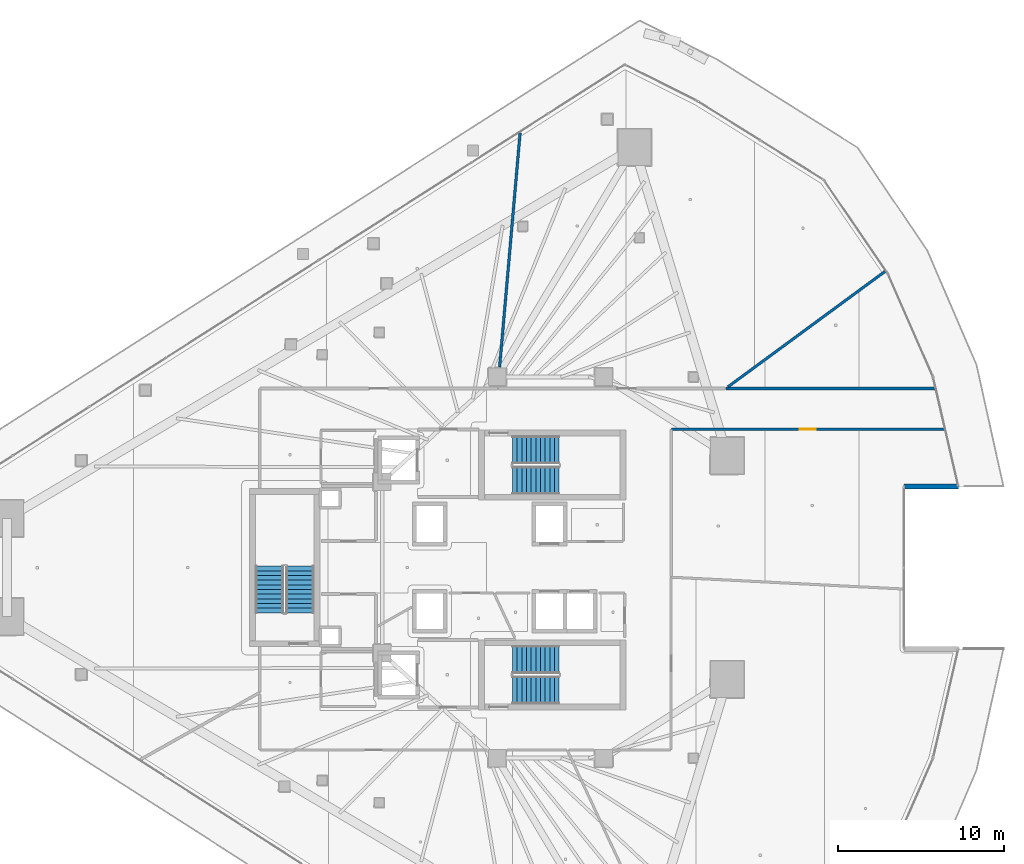
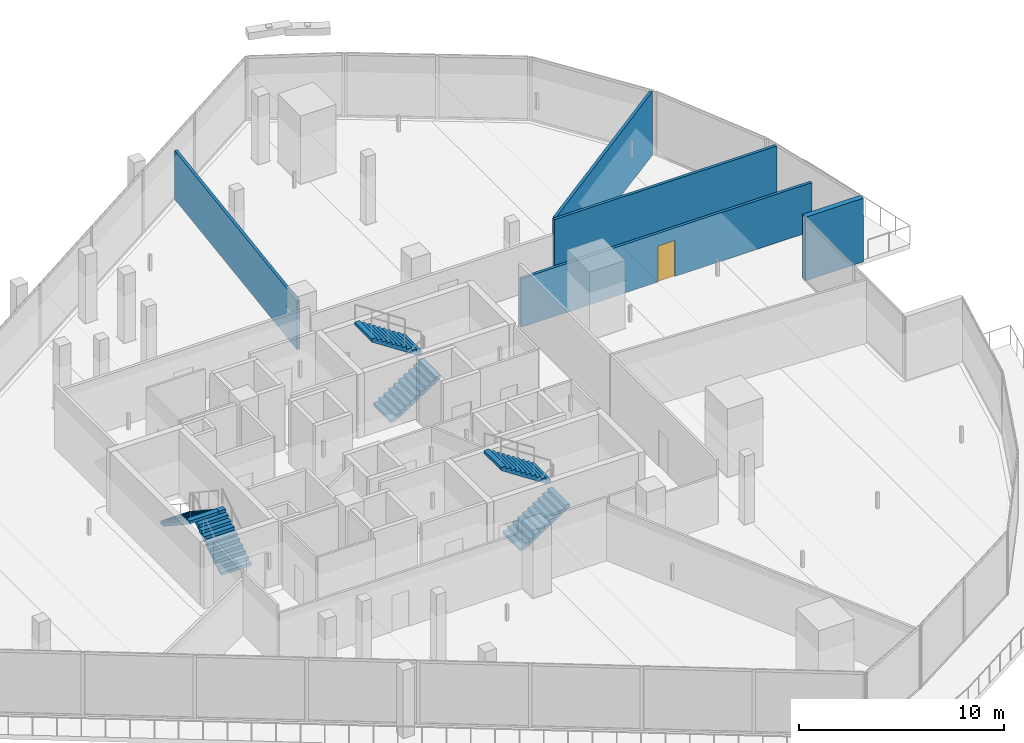
# One storey, part 27 of 38: 6 stair flights, 5 walls, 1 door, 1 opening, 3 elements without a shape of their own.
"""IFC4 building model written with IfcOpenShell, lengths in metres."""

from ifc_helpers import new_model, si_unit, direction, frame, frame_2d, origin, place, context, subcontext, project, spatial, polyline, rectangle, outline, extrude, material, layer, layer_set, type_object, element, fill, aggregate, save


model = new_model("IFC4")

# Units and contexts
model_context = context("Model", 3, precision=1e-05, world=origin(), true_north=direction((0.0, 1.0)))
body_context = subcontext(model_context, "Body", "Model", "MODEL_VIEW")
ifc_project = project(units=[si_unit("LENGTHUNIT", "METRE"), si_unit("AREAUNIT", "SQUARE_METRE"), si_unit("VOLUMEUNIT", "CUBIC_METRE"), si_unit("PLANEANGLEUNIT", "RADIAN"), si_unit("MASSUNIT", "GRAM", prefix="KILO")], contexts=[model_context])

# Site, building, storey
site_placement = place(None, origin())
site = spatial("IfcSite", under=ifc_project, at=site_placement, CompositionType="ELEMENT")
building_placement = place(site_placement, origin())
building = spatial("IfcBuilding", under=site, at=building_placement, Name="Qorvath Tower", CompositionType="ELEMENT")
storey_placement = place(building_placement, frame((0.0, 0.0, 134.10009765625)))
storey = spatial("IfcBuildingStorey", under=building, at=storey_placement, Name="L30", CompositionType="ELEMENT", Elevation=134.10009765625)

# Walls
ifc_material_1 = material(Name="Double acoustic gypsum board on steel studs", Category="steel")
ifc_layer_1 = layer(ifc_material_1, 0.159912109375)
ifc_layer_set_1 = layer_set([ifc_layer_1], Name="IW-ACOUSTIC-160")
wall_type_1 = type_object("IfcWallType", Name="IW-ACOUSTIC-160", PredefinedType="PARTITIONING", material=ifc_layer_set_1)
wall_1_placement = place(storey_placement, frame((-23.446533203125, 12.039794921875, 0.0), z_axis=(0.0, 0.0, 1.0), x_axis=(0.087151517994, 0.996195067701, 0.0)))
element("IfcWall", 1, at=wall_1_placement, inside=storey, type_object=wall_type_1, Name="Interior Partition IW-T1-L30-024", PredefinedType="PARTITIONING", context=body_context, shape_type="SweptSolid", body=[
    extrude(rectangle(XDim=14.1298828125, YDim=0.159912109375, at=frame_2d((7.06494140625, 0.0))), origin(), (0.0, 0.0, 1.0), 2.894775390625),
])
wall_2_placement = place(storey_placement, frame((2.677978515625, 10.758056640625, 0.0), z_axis=(0.0, 0.0, 1.0), x_axis=(-1.0, 0.0, 0.0)))
element("IfcWall", 2, at=wall_2_placement, inside=storey, type_object=wall_type_1, Name="Interior Partition IW-T1-L30-041", PredefinedType="PARTITIONING", context=body_context, shape_type="SweptSolid", body=[
    extrude(rectangle(XDim=12.51416015625, YDim=0.159912109375, at=frame_2d((6.257080078125, 0.0))), origin(), (0.0, 0.0, 1.0), 3.77978515625),
])

# Wall, opening, door
wall_3_placement = place(storey_placement, frame((3.243896484375, 8.31201171875, 0.0), z_axis=(0.0, 0.0, 1.0), x_axis=(-1.0, 0.0, 0.0)))
wall_3 = element("IfcWall", 3, at=wall_3_placement, inside=storey, type_object=wall_type_1, Name="Interior Partition IW-T1-L30-042", PredefinedType="PARTITIONING", context=body_context, shape_type="SweptSolid", body=[
    extrude(rectangle(XDim=16.361083984375, YDim=0.159912109375, at=frame_2d((8.1806640625, 0.0))), origin(), (0.0, 0.0, 1.0), 2.894775390625),
])
opening_placement = place(wall_3_placement, frame((7.70556640625, 0.0, 0.0)))
opening = element("IfcOpeningElement", 4, at=opening_placement, cuts=wall_3, Name="Opening D-T1-L30-11", PredefinedType="OPENING", context=body_context, shape_type="SweptSolid", body=[
    extrude(rectangle(XDim=0.949951171875, YDim=2.14990234375, at=frame_2d((0.47509765625, 1.074951171875))), frame((0.0, 0.08984375, 0.0), z_axis=(0.0, -1.0, 0.0), x_axis=(1.0, 0.0, 0.0)), (0.0, 0.0, 1.0), 0.179931640625),
])
ifc_material_2 = material(Name="Solid-core American white oak veneer", Category="wood")
door_type = type_object("IfcDoorType", Name="D-01", OperationType="NOTDEFINED", PredefinedType="DOOR", material=ifc_material_2)
door_placement = place(opening_placement, origin())
door = element("IfcDoor", 5, at=door_placement, inside=storey, type_object=door_type, Name="L30-06 Breakout Reading Alcove Door D-T1-L30-11", OperationType="SINGLE_SWING_RIGHT", OverallHeight=2.14990234375, OverallWidth=0.949951171875, PredefinedType="DOOR", context=body_context, shape_type="SweptSolid", body=[
    extrude(rectangle(XDim=0.949951171875, YDim=2.14990234375, at=frame_2d((0.47509765625, 1.074951171875))), frame((0.0, 0.02490234375, 0.0), z_axis=(0.0, -1.0, 0.0), x_axis=(1.0, 0.0, 0.0)), (0.0, 0.0, 1.0), 0.050048828125),
])
fill(opening, door)

# Walls
wall_4_placement = place(storey_placement, frame((-0.299560546875, 17.78466796875, 0.0), z_axis=(0.0, 0.0, 1.0), x_axis=(-0.805812705696, -0.592170485029, 0.0)))
element("IfcWall", 6, at=wall_4_placement, inside=storey, type_object=wall_type_1, Name="Interior Partition IW-T1-L30-044", PredefinedType="PARTITIONING", context=body_context, shape_type="SweptSolid", body=[
    extrude(rectangle(XDim=11.697265625, YDim=0.159912109375, at=frame_2d((5.8486328125, 0.0))), origin(), (0.0, 0.0, 1.0), 3.77978515625),
])
ifc_material_3 = material(Name="Precast concrete C45/55", Category="concrete")
ifc_layer_2 = layer(ifc_material_3, 0.300048828125)
ifc_layer_set_2 = layer_set([ifc_layer_2], Name="WL-EW-LOG-300")
wall_type_2 = type_object("IfcWallType", Name="WL-EW-LOG-300", PredefinedType="SOLIDWALL", material=ifc_layer_set_2)
wall_5_placement = place(storey_placement, frame((0.86328125, 4.881591796875, 0.0), z_axis=(0.0, 0.0, 1.0), x_axis=(1.0, 0.0, 0.0)))
element("IfcWall", 7, at=wall_5_placement, inside=storey, type_object=wall_type_2, Name="Tower Precast Loggia Wall L30-10.1", PredefinedType="SOLIDWALL", context=body_context, shape_type="SweptSolid", body=[
    extrude(rectangle(XDim=3.25439453125, YDim=0.300048828125, at=frame_2d((1.627197265625, 0.0))), origin(), (0.0, 0.0, 1.0), 3.77978515625),
])

# Stair, stair flights
ifc_material_4 = material(Name="Concrete C50/60", Category="concrete")
stair_type = type_object("IfcStairType", Name="ST-H405", PredefinedType="HALF_TURN_STAIR", material=ifc_material_4)
stair_1_placement = place(storey_placement, origin())
stair_1 = element("IfcStair", 8, at=stair_1_placement, inside=storey, type_object=stair_type, Name="L30 Tower Exit Stair 1", PredefinedType="HALF_TURN_STAIR")
ifc_material_5 = material(Name="Concrete C50/60", Category="concrete")
ifc_layer_3 = layer(ifc_material_5, 0.14990234375)
ifc_layer_set_3 = layer_set([ifc_layer_3], Name="SF-H405")
stair_flight_type = type_object("IfcStairFlightType", Name="SF-H405", PredefinedType="STRAIGHT", material=ifc_layer_set_3)
stair_flight_1_placement = place(storey_placement, frame((-22.669921875, 5.239990234375, 0.0), z_axis=(0.0, 0.0, 1.0), x_axis=(1.0, 0.0, 0.0)))
stair_flight_1 = element("IfcStairFlight", 9, at=stair_flight_1_placement, type_object=stair_flight_type, Name="TS1 flight 1", NumberOfRisers=11, NumberOfTreads=10, PredefinedType="STRAIGHT", RiserHeight=0.184090909, TreadLength=0.28, context=body_context, shape_type="SweptSolid", body=[
    extrude(outline(polyline([(0.0, 0.0), (0.0, 0.18408203125), (0.280029296875, 0.18408203125), (0.280029296875, 0.3681640625), (0.56005859375, 0.3681640625), (0.56005859375, 0.55224609375), (0.840087890625, 0.55224609375), (0.840087890625, 0.736328125), (1.1201171875, 0.736328125), (1.1201171875, 0.92041015625), (1.39990234375, 0.92041015625), (1.39990234375, 1.1044921875), (1.679931640625, 1.1044921875), (1.679931640625, 1.28857421875), (1.9599609375, 1.28857421875), (1.9599609375, 1.47265625), (2.239990234375, 1.47265625), (2.239990234375, 1.65673828125), (2.52001953125, 1.65673828125), (2.52001953125, 1.8408203125), (2.800048828125, 1.8408203125), (2.800048828125, 2.02490234375), (2.800048828125, 1.66162109375), (0.27294921875, 0.0), (0.0, 0.0)])), frame((0.0, 0.83984375, 0.0), z_axis=(0.0, -1.0, 0.0), x_axis=(1.0, 0.0, 0.0)), (0.0, 0.0, 1.0), 1.679931640625),
])
stair_flight_2_placement = place(storey_placement, frame((-19.8701171875, 7.070068359375, 2.02490234375), z_axis=(0.0, 0.0, 1.0), x_axis=(-1.0, 0.0, 0.0)))
stair_flight_2 = element("IfcStairFlight", 10, at=stair_flight_2_placement, type_object=stair_flight_type, Name="TS1 flight 2", NumberOfRisers=11, NumberOfTreads=10, PredefinedType="STRAIGHT", RiserHeight=0.184090909, TreadLength=0.28, context=body_context, shape_type="SweptSolid", body=[
    extrude(outline(polyline([(0.0, 0.0), (0.0, 0.18408203125), (0.280029296875, 0.18408203125), (0.280029296875, 0.3681640625), (0.56005859375, 0.3681640625), (0.56005859375, 0.55224609375), (0.840087890625, 0.55224609375), (0.840087890625, 0.736328125), (1.1201171875, 0.736328125), (1.1201171875, 0.92041015625), (1.39990234375, 0.92041015625), (1.39990234375, 1.1044921875), (1.679931640625, 1.1044921875), (1.679931640625, 1.28857421875), (1.9599609375, 1.28857421875), (1.9599609375, 1.47265625), (2.239990234375, 1.47265625), (2.239990234375, 1.65673828125), (2.52001953125, 1.65673828125), (2.52001953125, 1.8408203125), (2.800048828125, 1.8408203125), (2.800048828125, 2.02490234375), (2.800048828125, 1.66162109375), (0.27294921875, 0.0), (0.0, 0.0)])), frame((0.0, 0.83984375, 0.0), z_axis=(0.0, -1.0, 0.0), x_axis=(1.0, 0.0, 0.0)), (0.0, 0.0, 1.0), 1.679931640625),
])
aggregate(stair_1, [stair_flight_1, stair_flight_2])

stair_2_placement = place(storey_placement, origin())
stair_2 = element("IfcStair", 11, at=stair_2_placement, inside=storey, type_object=stair_type, Name="L30 Tower Exit Stair 2", PredefinedType="HALF_TURN_STAIR")
stair_flight_3_placement = place(storey_placement, frame((-22.669921875, -7.360107421875, 0.0), z_axis=(0.0, 0.0, 1.0), x_axis=(1.0, 0.0, 0.0)))
stair_flight_3 = element("IfcStairFlight", 12, at=stair_flight_3_placement, type_object=stair_flight_type, Name="TS2 flight 1", NumberOfRisers=11, NumberOfTreads=10, PredefinedType="STRAIGHT", RiserHeight=0.184090909, TreadLength=0.28, context=body_context, shape_type="SweptSolid", body=[
    extrude(outline(polyline([(0.0, 0.0), (0.0, 0.18408203125), (0.280029296875, 0.18408203125), (0.280029296875, 0.3681640625), (0.56005859375, 0.3681640625), (0.56005859375, 0.55224609375), (0.840087890625, 0.55224609375), (0.840087890625, 0.736328125), (1.1201171875, 0.736328125), (1.1201171875, 0.92041015625), (1.39990234375, 0.92041015625), (1.39990234375, 1.1044921875), (1.679931640625, 1.1044921875), (1.679931640625, 1.28857421875), (1.9599609375, 1.28857421875), (1.9599609375, 1.47265625), (2.239990234375, 1.47265625), (2.239990234375, 1.65673828125), (2.52001953125, 1.65673828125), (2.52001953125, 1.8408203125), (2.800048828125, 1.8408203125), (2.800048828125, 2.02490234375), (2.800048828125, 1.66162109375), (0.27294921875, 0.0), (0.0, 0.0)])), frame((0.0, 0.83984375, 0.0), z_axis=(0.0, -1.0, 0.0), x_axis=(1.0, 0.0, 0.0)), (0.0, 0.0, 1.0), 1.679931640625),
])
stair_flight_4_placement = place(storey_placement, frame((-19.8701171875, -5.530029296875, 2.02490234375), z_axis=(0.0, 0.0, 1.0), x_axis=(-1.0, 0.0, 0.0)))
stair_flight_4 = element("IfcStairFlight", 13, at=stair_flight_4_placement, type_object=stair_flight_type, Name="TS2 flight 2", NumberOfRisers=11, NumberOfTreads=10, PredefinedType="STRAIGHT", RiserHeight=0.184090909, TreadLength=0.28, context=body_context, shape_type="SweptSolid", body=[
    extrude(outline(polyline([(0.0, 0.0), (0.0, 0.18408203125), (0.280029296875, 0.18408203125), (0.280029296875, 0.3681640625), (0.56005859375, 0.3681640625), (0.56005859375, 0.55224609375), (0.840087890625, 0.55224609375), (0.840087890625, 0.736328125), (1.1201171875, 0.736328125), (1.1201171875, 0.92041015625), (1.39990234375, 0.92041015625), (1.39990234375, 1.1044921875), (1.679931640625, 1.1044921875), (1.679931640625, 1.28857421875), (1.9599609375, 1.28857421875), (1.9599609375, 1.47265625), (2.239990234375, 1.47265625), (2.239990234375, 1.65673828125), (2.52001953125, 1.65673828125), (2.52001953125, 1.8408203125), (2.800048828125, 1.8408203125), (2.800048828125, 2.02490234375), (2.800048828125, 1.66162109375), (0.27294921875, 0.0), (0.0, 0.0)])), frame((0.0, 0.83984375, 0.0), z_axis=(0.0, -1.0, 0.0), x_axis=(1.0, 0.0, 0.0)), (0.0, 0.0, 1.0), 1.679931640625),
])
aggregate(stair_2, [stair_flight_3, stair_flight_4])

stair_3_placement = place(storey_placement, origin())
stair_3 = element("IfcStair", 14, at=stair_3_placement, inside=storey, type_object=stair_type, Name="L30 Tower Exit Stair 3", PredefinedType="HALF_TURN_STAIR")
stair_flight_5_placement = place(storey_placement, frame((-35.43994140625, -2.719970703125, 0.0), z_axis=(0.0, 0.0, 1.0), x_axis=(0.0, 1.0, 0.0)))
stair_flight_5 = element("IfcStairFlight", 15, at=stair_flight_5_placement, type_object=stair_flight_type, Name="TS3 flight 1", NumberOfRisers=11, NumberOfTreads=10, PredefinedType="STRAIGHT", RiserHeight=0.184090909, TreadLength=0.28, context=body_context, shape_type="SweptSolid", body=[
    extrude(outline(polyline([(0.0, 0.0), (0.0, 0.18408203125), (0.280029296875, 0.18408203125), (0.280029296875, 0.3681640625), (0.56005859375, 0.3681640625), (0.56005859375, 0.55224609375), (0.840087890625, 0.55224609375), (0.840087890625, 0.736328125), (1.1201171875, 0.736328125), (1.1201171875, 0.92041015625), (1.39990234375, 0.92041015625), (1.39990234375, 1.1044921875), (1.679931640625, 1.1044921875), (1.679931640625, 1.28857421875), (1.9599609375, 1.28857421875), (1.9599609375, 1.47265625), (2.239990234375, 1.47265625), (2.239990234375, 1.65673828125), (2.52001953125, 1.65673828125), (2.52001953125, 1.8408203125), (2.800048828125, 1.8408203125), (2.800048828125, 2.02490234375), (2.800048828125, 1.66162109375), (0.27294921875, 0.0), (0.0, 0.0)])), frame((0.0, 0.83984375, 0.0), z_axis=(0.0, -1.0, 0.0), x_axis=(1.0, 0.0, 0.0)), (0.0, 0.0, 1.0), 1.679931640625),
])
stair_flight_6_placement = place(storey_placement, frame((-37.27001953125, 0.080078125, 2.02490234375), z_axis=(0.0, 0.0, 1.0), x_axis=(0.0, -1.0, 0.0)))
stair_flight_6 = element("IfcStairFlight", 16, at=stair_flight_6_placement, type_object=stair_flight_type, Name="TS3 flight 2", NumberOfRisers=11, NumberOfTreads=10, PredefinedType="STRAIGHT", RiserHeight=0.184090909, TreadLength=0.28, context=body_context, shape_type="SweptSolid", body=[
    extrude(outline(polyline([(0.0, 0.0), (0.0, 0.18408203125), (0.280029296875, 0.18408203125), (0.280029296875, 0.3681640625), (0.56005859375, 0.3681640625), (0.56005859375, 0.55224609375), (0.840087890625, 0.55224609375), (0.840087890625, 0.736328125), (1.1201171875, 0.736328125), (1.1201171875, 0.92041015625), (1.39990234375, 0.92041015625), (1.39990234375, 1.1044921875), (1.679931640625, 1.1044921875), (1.679931640625, 1.28857421875), (1.9599609375, 1.28857421875), (1.9599609375, 1.47265625), (2.239990234375, 1.47265625), (2.239990234375, 1.65673828125), (2.52001953125, 1.65673828125), (2.52001953125, 1.8408203125), (2.800048828125, 1.8408203125), (2.800048828125, 2.02490234375), (2.800048828125, 1.66162109375), (0.27294921875, 0.0), (0.0, 0.0)])), frame((0.0, 0.83984375, 0.0), z_axis=(0.0, -1.0, 0.0), x_axis=(1.0, 0.0, 0.0)), (0.0, 0.0, 1.0), 1.679931640625),
])
aggregate(stair_3, [stair_flight_5, stair_flight_6])

save(model, "model.ifc")
